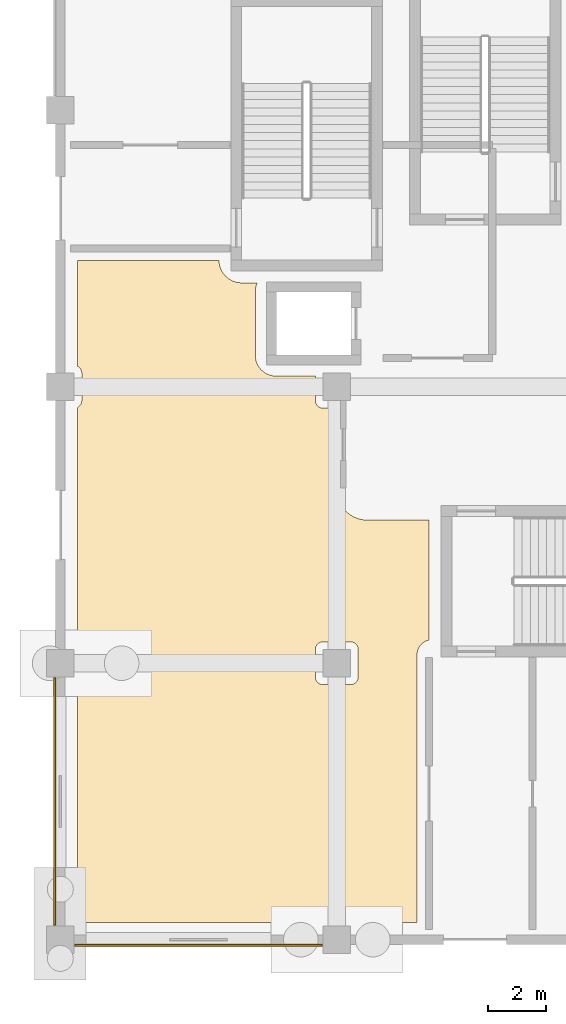
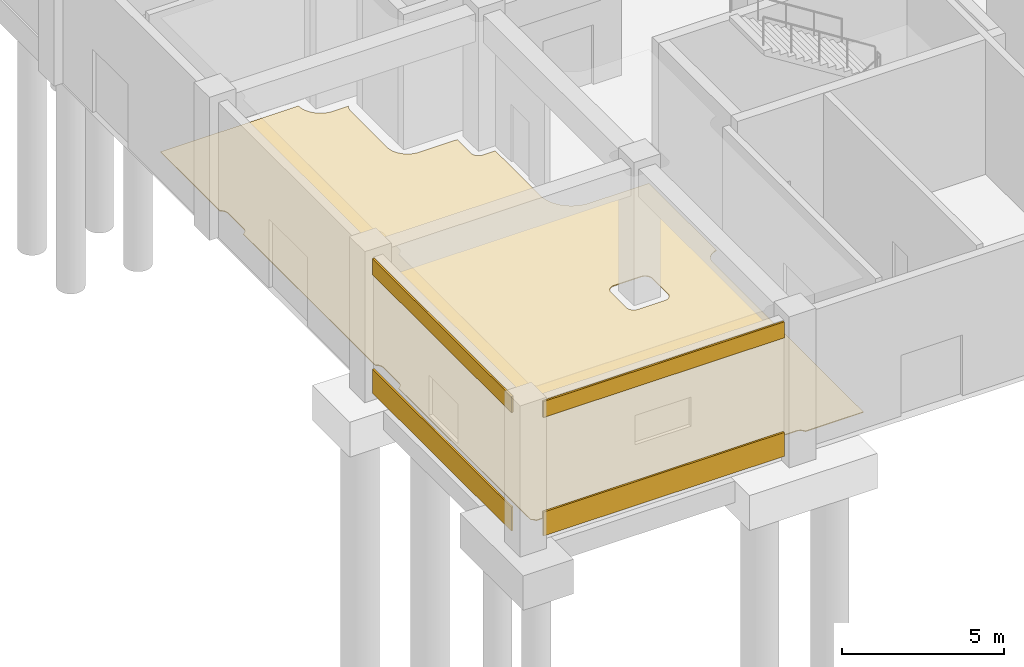
# One storey, part 43 of 74: 5 coverings.
"""IFC4 building model written with IfcOpenShell, lengths in metres."""

from ifc_helpers import new_model, si_unit, direction, frame, origin, origin_2d, place, context, subcontext, project, spatial, polyline, rectangle, outline, extrude, material, layer, layer_set, type_object, element, save


model = new_model("IFC4")

# Units and contexts
model_context = context("Model", 3, precision=1e-05, world=origin(), true_north=direction((0.0, 1.0)))
body_context = subcontext(model_context, "Body", "Model", "MODEL_VIEW")
ifc_project = project(units=[si_unit("LENGTHUNIT", "METRE"), si_unit("AREAUNIT", "SQUARE_METRE"), si_unit("VOLUMEUNIT", "CUBIC_METRE"), si_unit("PLANEANGLEUNIT", "RADIAN"), si_unit("MASSUNIT", "GRAM", prefix="KILO")], contexts=[model_context])

# Site, building, storey
site_placement = place(None, origin())
site = spatial("IfcSite", under=ifc_project, at=site_placement, CompositionType="ELEMENT")
building_placement = place(site_placement, origin())
building = spatial("IfcBuilding", under=site, at=building_placement, Name="Cendralis Terraced Arcade", CompositionType="ELEMENT")
storey_placement = place(building_placement, origin())
storey = spatial("IfcBuildingStorey", under=building, at=storey_placement, Name="L00", CompositionType="ELEMENT", Elevation=0.0)

# Coverings
ifc_material_1 = material(Name="Precast concrete f'c 40 MPa", Category="concrete")
ifc_layer_1 = layer(ifc_material_1, 0.06494140625, Name="COV-CLAD-GRC-65")
ifc_layer_set_1 = layer_set([ifc_layer_1], Name="Precast concrete f'c 40 MPa")
covering_type_1 = type_object("IfcCoveringType", Name="COV-CLAD-GRC-65", PredefinedType="CLADDING", material=ifc_layer_set_1)
covering_1_placement = place(storey_placement, frame((4.800048828125, -0.18994140625, 0.0), z_axis=(0.0, 0.0, 1.0), x_axis=(-1.0, 0.0, 0.0)))
element("IfcCovering", 1, at=covering_1_placement, inside=storey, type_object=covering_type_1, Name="Banded Precast Stone Spandrel Cladding L00-011", PredefinedType="CLADDING", context=body_context, shape_type="SweptSolid", body=[
    extrude(rectangle(XDim=8.593994140625, YDim=0.06494140625, at=origin_2d()), origin(), (0.0, 0.0, 1.0), 0.89990234375),
])
covering_2_placement = place(storey_placement, frame((4.800048828125, -0.18994140625, 4.469970703125), z_axis=(0.0, 0.0, 1.0), x_axis=(-1.0, 0.0, 0.0)))
element("IfcCovering", 2, at=covering_2_placement, inside=storey, type_object=covering_type_1, Name="Banded Precast Stone Lintel Cladding L00-012", PredefinedType="CLADDING", context=body_context, shape_type="SweptSolid", body=[
    extrude(rectangle(XDim=8.593994140625, YDim=0.06494140625, at=origin_2d()), origin(), (0.0, 0.0, 1.0), 0.60009765625),
])
covering_3_placement = place(storey_placement, frame((-0.18994140625, 4.800048828125, 0.0), z_axis=(0.0, 0.0, 1.0), x_axis=(0.0, 1.0, 0.0)))
element("IfcCovering", 3, at=covering_3_placement, inside=storey, type_object=covering_type_1, Name="Banded Precast Stone Spandrel Cladding L00-013", PredefinedType="CLADDING", context=body_context, shape_type="SweptSolid", body=[
    extrude(rectangle(XDim=8.593994140625, YDim=0.06494140625, at=origin_2d()), origin(), (0.0, 0.0, 1.0), 0.89990234375),
])
covering_4_placement = place(storey_placement, frame((-0.18994140625, 4.800048828125, 4.469970703125), z_axis=(0.0, 0.0, 1.0), x_axis=(0.0, 1.0, 0.0)))
element("IfcCovering", 4, at=covering_4_placement, inside=storey, type_object=covering_type_1, Name="Banded Precast Stone Lintel Cladding L00-014", PredefinedType="CLADDING", context=body_context, shape_type="SweptSolid", body=[
    extrude(rectangle(XDim=8.593994140625, YDim=0.06494140625, at=origin_2d()), origin(), (0.0, 0.0, 1.0), 0.60009765625),
])
ifc_material_2 = material(Name="Polished Bogota limestone terrazzo flooring", Category="masonry")
ifc_layer_2 = layer(ifc_material_2, 0.030029296875, Name="COV-FLR-TERZ-30")
ifc_layer_set_2 = layer_set([ifc_layer_2], Name="Polished Bogota limestone terrazzo flooring")
covering_type_2 = type_object("IfcCoveringType", Name="COV-FLR-TERZ-30", PredefinedType="FLOORING", material=ifc_layer_set_2)
covering_5_placement = place(storey_placement, origin())
element("IfcCovering", 5, at=covering_5_placement, inside=storey, type_object=covering_type_2, Name="Interior Finish Flooring L00-028", PredefinedType="FLOORING", context=body_context, shape_type="SweptSolid", body=[
    extrude(outline(polyline([(0.718505859375, 0.59130859375), (0.70703125, 0.613037109375), (0.7060546875, 0.614501953125), (0.6923828125, 0.635009765625), (0.69140625, 0.63671875), (0.67578125, 0.655517578125), (0.67431640625, 0.656982421875), (0.656982421875, 0.67431640625), (0.655517578125, 0.67578125), (0.63671875, 0.69140625), (0.635009765625, 0.6923828125), (0.614501953125, 0.7060546875), (0.613037109375, 0.70703125), (0.59130859375, 0.718505859375), (0.590087890625, 0.71923828125), (0.590087890625, 8.880615234375), (0.59130859375, 8.88134765625), (0.613037109375, 8.892822265625), (0.614501953125, 8.893798828125), (0.635009765625, 8.90771484375), (0.63671875, 8.90869140625), (0.655517578125, 8.92431640625), (0.656982421875, 8.925537109375), (0.67431640625, 8.943115234375), (0.67578125, 8.9443359375), (0.69140625, 8.96337890625), (0.6923828125, 8.965087890625), (0.7060546875, 8.9853515625), (0.70703125, 8.987060546875), (0.718505859375, 9.0087890625), (0.719482421875, 9.010498046875), (0.72900390625, 9.033203125), (0.7294921875, 9.034912109375), (0.736572265625, 9.058349609375), (0.737060546875, 9.060302734375), (0.741943359375, 9.08447265625), (0.7421875, 9.08642578125), (0.74462890625, 9.11083984375), (0.74462890625, 9.11279296875), (0.7451171875, 9.125), (0.7451171875, 10.074951171875), (0.74462890625, 10.08740234375), (0.74462890625, 10.089111328125), (0.7421875, 10.113525390625), (0.741943359375, 10.115478515625), (0.737060546875, 10.1396484375), (0.736572265625, 10.1416015625), (0.7294921875, 10.1650390625), (0.72900390625, 10.1669921875), (0.719482421875, 10.189453125), (0.718505859375, 10.19140625), (0.70703125, 10.212890625), (0.7060546875, 10.214599609375), (0.6923828125, 10.235107421875), (0.69140625, 10.236572265625), (0.67578125, 10.255615234375), (0.67431640625, 10.257080078125), (0.656982421875, 10.2744140625), (0.655517578125, 10.275634765625), (0.63671875, 10.291259765625), (0.635009765625, 10.29248046875), (0.614501953125, 10.30615234375), (0.613037109375, 10.30712890625), (0.59130859375, 10.318603515625), (0.590087890625, 10.3193359375), (0.590087890625, 18.480712890625), (0.59130859375, 18.4814453125), (0.613037109375, 18.492919921875), (0.614501953125, 18.493896484375), (0.635009765625, 18.507568359375), (0.63671875, 18.5087890625), (0.655517578125, 18.5244140625), (0.656982421875, 18.525634765625), (0.67431640625, 18.54296875), (0.67578125, 18.54443359375), (0.69140625, 18.5634765625), (0.6923828125, 18.56494140625), (0.7060546875, 18.58544921875), (0.70703125, 18.5869140625), (0.718505859375, 18.608642578125), (0.719482421875, 18.610595703125), (0.72900390625, 18.633056640625), (0.7294921875, 18.635009765625), (0.736572265625, 18.658447265625), (0.737060546875, 18.660400390625), (0.741943359375, 18.684326171875), (0.7421875, 18.686279296875), (0.74462890625, 18.710693359375), (0.74462890625, 18.712646484375), (0.7451171875, 18.72509765625), (0.7451171875, 19.675048828125), (0.74462890625, 19.687255859375), (0.74462890625, 19.689208984375), (0.7421875, 19.713623046875), (0.741943359375, 19.715576171875), (0.737060546875, 19.739501953125), (0.736572265625, 19.74169921875), (0.7294921875, 19.764892578125), (0.72900390625, 19.766845703125), (0.719482421875, 19.78955078125), (0.718505859375, 19.791259765625), (0.70703125, 19.81298828125), (0.7060546875, 19.814697265625), (0.6923828125, 19.8349609375), (0.69140625, 19.836669921875), (0.67578125, 19.855712890625), (0.67431640625, 19.85693359375), (0.656982421875, 19.87451171875), (0.655517578125, 19.875732421875), (0.63671875, 19.891357421875), (0.635009765625, 19.892333984375), (0.614501953125, 19.906005859375), (0.613037109375, 19.906982421875), (0.59130859375, 19.918701171875), (0.590087890625, 19.919189453125), (0.590087890625, 23.590087890625), (5.51025390625, 23.590087890625), (5.51025390625, 23.587890625), (5.510498046875, 23.581787109375), (5.512451171875, 23.540771484375), (5.513427734375, 23.5283203125), (5.514404296875, 23.5166015625), (5.51611328125, 23.50439453125), (5.522216796875, 23.4638671875), (5.524169921875, 23.45166015625), (5.526611328125, 23.440185546875), (5.529296875, 23.42822265625), (5.539306640625, 23.38818359375), (5.54248046875, 23.37646484375), (5.5458984375, 23.364990234375), (5.5498046875, 23.353515625), (5.563720703125, 23.314697265625), (5.568115234375, 23.30322265625), (5.572509765625, 23.292236328125), (5.577392578125, 23.281005859375), (5.59521484375, 23.243896484375), (5.6005859375, 23.23291015625), (5.606201171875, 23.222412109375), (5.6123046875, 23.2119140625), (5.63330078125, 23.176513671875), (5.639892578125, 23.166015625), (5.646484375, 23.15625), (5.653564453125, 23.146240234375), (5.677978515625, 23.113037109375), (5.685791015625, 23.103515625), (5.693115234375, 23.094482421875), (5.701171875, 23.085205078125), (5.72900390625, 23.054443359375), (5.7373046875, 23.045654296875), (5.74560546875, 23.037353515625), (5.75439453125, 23.02880859375), (5.78515625, 23.001220703125), (5.79443359375, 22.9931640625), (5.803466796875, 22.985595703125), (5.81298828125, 22.97802734375), (5.84619140625, 22.95361328125), (5.856201171875, 22.946533203125), (5.8662109375, 22.93994140625), (5.87646484375, 22.933349609375), (5.911865234375, 22.912109375), (5.922607421875, 22.90625), (5.932861328125, 22.900634765625), (5.94384765625, 22.89501953125), (5.981201171875, 22.87744140625), (5.9921875, 22.87255859375), (6.003173828125, 22.867919921875), (6.0146484375, 22.863525390625), (6.053466796875, 22.849609375), (6.065185546875, 22.845947265625), (6.076416015625, 22.84228515625), (6.088134765625, 22.839111328125), (6.128173828125, 22.8291015625), (6.14013671875, 22.826416015625), (6.151611328125, 22.82421875), (6.163818359375, 22.822021484375), (6.20458984375, 22.81591796875), (6.216796875, 22.814453125), (6.228515625, 22.8134765625), (6.24072265625, 22.8125), (6.28173828125, 22.810302734375), (6.2880859375, 22.810302734375), (6.2939453125, 22.81005859375), (6.300048828125, 22.81005859375), (6.839599609375, 22.81005859375), (6.8330078125, 22.7958984375), (6.827880859375, 22.78466796875), (6.823486328125, 22.77392578125), (6.819091796875, 22.762451171875), (6.80712890625, 22.729248046875), (6.80322265625, 22.717529296875), (6.7998046875, 22.706298828125), (6.796630859375, 22.6943359375), (6.7880859375, 22.66015625), (6.785400390625, 22.648193359375), (6.782958984375, 22.63671875), (6.781005859375, 22.62451171875), (6.775634765625, 22.589599609375), (6.774169921875, 22.577392578125), (6.773193359375, 22.565673828125), (6.772216796875, 22.553466796875), (6.7705078125, 22.518310546875), (6.770263671875, 22.511962890625), (6.77001953125, 22.506103515625), (6.77001953125, 22.5), (6.77001953125, 20.300048828125), (6.77001953125, 20.2939453125), (6.770263671875, 20.2880859375), (6.7705078125, 20.28173828125), (6.772216796875, 20.24658203125), (6.773193359375, 20.234375), (6.774169921875, 20.22265625), (6.775634765625, 20.21044921875), (6.781005859375, 20.175537109375), (6.782958984375, 20.163330078125), (6.785400390625, 20.15185546875), (6.7880859375, 20.139892578125), (6.796630859375, 20.105712890625), (6.7998046875, 20.09375), (6.80322265625, 20.08251953125), (6.80712890625, 20.07080078125), (6.819091796875, 20.03759765625), (6.823486328125, 20.026123046875), (6.827880859375, 20.015380859375), (6.8330078125, 20.00390625), (6.847900390625, 19.97216796875), (6.853515625, 19.961181640625), (6.859130859375, 19.95068359375), (6.864990234375, 19.940185546875), (6.88330078125, 19.909912109375), (6.889892578125, 19.8994140625), (6.896484375, 19.8896484375), (6.903564453125, 19.879638671875), (6.924560546875, 19.851318359375), (6.93212890625, 19.841552734375), (6.939453125, 19.83251953125), (6.947509765625, 19.822998046875), (6.97119140625, 19.797119140625), (6.979736328125, 19.7880859375), (6.988037109375, 19.77978515625), (6.9970703125, 19.771240234375), (7.023193359375, 19.74755859375), (7.032470703125, 19.739501953125), (7.04150390625, 19.732177734375), (7.05126953125, 19.724609375), (7.07958984375, 19.70361328125), (7.089599609375, 19.6962890625), (7.099365234375, 19.68994140625), (7.10986328125, 19.683349609375), (7.14013671875, 19.6650390625), (7.15087890625, 19.6591796875), (7.1611328125, 19.653564453125), (7.172119140625, 19.64794921875), (7.2041015625, 19.6328125), (7.21533203125, 19.6279296875), (7.22607421875, 19.623291015625), (7.237548828125, 19.618896484375), (7.270751953125, 19.607177734375), (7.282470703125, 19.603271484375), (7.293701171875, 19.599853515625), (7.3056640625, 19.5966796875), (7.33984375, 19.587890625), (7.351806640625, 19.585205078125), (7.36328125, 19.5830078125), (7.37548828125, 19.580810546875), (7.410400390625, 19.57568359375), (7.422607421875, 19.57421875), (7.434326171875, 19.572998046875), (7.446533203125, 19.572265625), (7.481689453125, 19.5703125), (7.488037109375, 19.5703125), (7.493896484375, 19.570068359375), (7.5, 19.570068359375), (8.85498046875, 19.570068359375), (8.85498046875, 18.72509765625), (8.855224609375, 18.712646484375), (8.85546875, 18.710693359375), (8.85791015625, 18.686279296875), (8.858154296875, 18.684326171875), (8.86279296875, 18.660400390625), (8.86328125, 18.658447265625), (8.87060546875, 18.635009765625), (8.87109375, 18.633056640625), (8.880615234375, 18.610595703125), (8.88134765625, 18.608642578125), (8.892822265625, 18.5869140625), (8.893798828125, 18.58544921875), (8.90771484375, 18.56494140625), (8.90869140625, 18.5634765625), (8.92431640625, 18.54443359375), (8.925537109375, 18.54296875), (8.943115234375, 18.525634765625), (8.9443359375, 18.5244140625), (8.96337890625, 18.5087890625), (8.965087890625, 18.507568359375), (8.9853515625, 18.493896484375), (8.987060546875, 18.492919921875), (9.0087890625, 18.4814453125), (9.010498046875, 18.48046875), (9.033203125, 18.47119140625), (9.034912109375, 18.470458984375), (9.058349609375, 18.46337890625), (9.060302734375, 18.462890625), (9.08447265625, 18.4580078125), (9.08642578125, 18.457763671875), (9.11083984375, 18.455322265625), (9.11279296875, 18.455322265625), (9.125, 18.455078125), (9.570068359375, 18.455078125), (9.570068359375, 15.679931640625), (9.570068359375, 15.677001953125), (9.570068359375, 15.674072265625), (9.570068359375, 15.6708984375), (9.5703125, 15.6650390625), (9.5703125, 15.662109375), (9.570556640625, 15.658935546875), (9.570556640625, 15.656005859375), (9.573486328125, 15.59521484375), (9.573974609375, 15.589111328125), (9.574462890625, 15.583251953125), (9.574951171875, 15.5771484375), (9.576171875, 15.5654296875), (9.57666015625, 15.559326171875), (9.577392578125, 15.553466796875), (9.578369140625, 15.54736328125), (9.587158203125, 15.487060546875), (9.588134765625, 15.481201171875), (9.589111328125, 15.475341796875), (9.59033203125, 15.46923828125), (9.592529296875, 15.457763671875), (9.593994140625, 15.45166015625), (9.59521484375, 15.446044921875), (9.5966796875, 15.43994140625), (9.611328125, 15.381103515625), (9.61279296875, 15.375), (9.614501953125, 15.369384765625), (9.6162109375, 15.363525390625), (9.61962890625, 15.352294921875), (9.62158203125, 15.34619140625), (9.623291015625, 15.3408203125), (9.625244140625, 15.3349609375), (9.645751953125, 15.277587890625), (9.64794921875, 15.27197265625), (9.650146484375, 15.266357421875), (9.65234375, 15.2607421875), (9.656982421875, 15.249755859375), (9.6591796875, 15.244140625), (9.66162109375, 15.23876953125), (9.664306640625, 15.233154296875), (9.690185546875, 15.17822265625), (9.69287109375, 15.172607421875), (9.695556640625, 15.16748046875), (9.698486328125, 15.162109375), (9.7041015625, 15.151611328125), (9.706787109375, 15.146240234375), (9.709716796875, 15.14111328125), (9.712890625, 15.1357421875), (9.744140625, 15.08349609375), (9.747314453125, 15.078369140625), (9.75048828125, 15.073486328125), (9.75390625, 15.068359375), (9.760498046875, 15.05859375), (9.763916015625, 15.053466796875), (9.767333984375, 15.048583984375), (9.77099609375, 15.043701171875), (9.80712890625, 14.994873046875), (9.810791015625, 14.989990234375), (9.814453125, 14.9853515625), (9.818359375, 14.98046875), (9.82568359375, 14.971435546875), (9.829833984375, 14.966796875), (9.83349609375, 14.962158203125), (9.837646484375, 14.95751953125), (9.87841796875, 14.91259765625), (9.8828125, 14.907958984375), (9.88671875, 14.90380859375), (9.89111328125, 14.8994140625), (9.8994140625, 14.89111328125), (9.90380859375, 14.88671875), (9.907958984375, 14.8828125), (9.91259765625, 14.87841796875), (9.95751953125, 14.837646484375), (9.962158203125, 14.83349609375), (9.966796875, 14.829833984375), (9.971435546875, 14.82568359375), (9.98046875, 14.818359375), (9.9853515625, 14.814453125), (9.989990234375, 14.810791015625), (9.994873046875, 14.80712890625), (10.043701171875, 14.77099609375), (10.048583984375, 14.767333984375), (10.053466796875, 14.763916015625), (10.05859375, 14.760498046875), (10.068359375, 14.75390625), (10.073486328125, 14.75048828125), (10.078369140625, 14.747314453125), (10.08349609375, 14.744140625), (10.1357421875, 14.712890625), (10.14111328125, 14.709716796875), (10.146240234375, 14.706787109375), (10.151611328125, 14.7041015625), (10.162109375, 14.698486328125), (10.16748046875, 14.695556640625), (10.172607421875, 14.69287109375), (10.17822265625, 14.690185546875), (10.233154296875, 14.664306640625), (10.23876953125, 14.66162109375), (10.244140625, 14.6591796875), (10.249755859375, 14.656982421875), (10.2607421875, 14.65234375), (10.266357421875, 14.650146484375), (10.27197265625, 14.64794921875), (10.277587890625, 14.645751953125), (10.3349609375, 14.625244140625), (10.3408203125, 14.623291015625), (10.34619140625, 14.62158203125), (10.352294921875, 14.61962890625), (10.363525390625, 14.6162109375), (10.369384765625, 14.614501953125), (10.375, 14.61279296875), (10.381103515625, 14.611328125), (10.43994140625, 14.5966796875), (10.446044921875, 14.59521484375), (10.45166015625, 14.593994140625), (10.457763671875, 14.592529296875), (10.46923828125, 14.59033203125), (10.475341796875, 14.589111328125), (10.481201171875, 14.588134765625), (10.487060546875, 14.587158203125), (10.54736328125, 14.578369140625), (10.553466796875, 14.577392578125), (10.559326171875, 14.57666015625), (10.5654296875, 14.576171875), (10.5771484375, 14.574951171875), (10.583251953125, 14.574462890625), (10.589111328125, 14.573974609375), (10.59521484375, 14.573486328125), (10.656005859375, 14.570556640625), (10.658935546875, 14.570556640625), (10.662109375, 14.5703125), (10.6650390625, 14.5703125), (10.6708984375, 14.570068359375), (10.674072265625, 14.570068359375), (10.677001953125, 14.570068359375), (10.679931640625, 14.570068359375), (12.81005859375, 14.570068359375), (12.81005859375, 10.40185546875), (12.806396484375, 10.401123046875), (12.794921875, 10.39892578125), (12.78271484375, 10.396240234375), (12.76953125, 10.392822265625), (12.757568359375, 10.3896484375), (12.746337890625, 10.38623046875), (12.734619140625, 10.38232421875), (12.7216796875, 10.377685546875), (12.710205078125, 10.373291015625), (12.699462890625, 10.368896484375), (12.688232421875, 10.36376953125), (12.67578125, 10.35791015625), (12.664794921875, 10.352294921875), (12.654541015625, 10.346923828125), (12.643798828125, 10.3408203125), (12.632080078125, 10.333740234375), (12.62158203125, 10.3271484375), (12.61181640625, 10.32080078125), (12.601806640625, 10.313720703125), (12.5908203125, 10.305419921875), (12.5810546875, 10.2978515625), (12.572021484375, 10.290283203125), (12.562744140625, 10.282470703125), (12.552490234375, 10.273193359375), (12.543701171875, 10.2646484375), (12.535400390625, 10.25634765625), (12.52685546875, 10.24755859375), (12.517578125, 10.2373046875), (12.509521484375, 10.22802734375), (12.502197265625, 10.218994140625), (12.49462890625, 10.209228515625), (12.486328125, 10.1982421875), (12.479248046875, 10.188232421875), (12.472900390625, 10.178466796875), (12.46630859375, 10.16796875), (12.459228515625, 10.15625), (12.453125, 10.1455078125), (12.447509765625, 10.13525390625), (12.442138671875, 10.124267578125), (12.436279296875, 10.11181640625), (12.43115234375, 10.1005859375), (12.4267578125, 10.089599609375), (12.42236328125, 10.078125), (12.417724609375, 10.065185546875), (12.413818359375, 10.0537109375), (12.410400390625, 10.04248046875), (12.406982421875, 10.030517578125), (12.40380859375, 10.01708984375), (12.401123046875, 10.005126953125), (12.398681640625, 9.99365234375), (12.396728515625, 9.981689453125), (12.394775390625, 9.968017578125), (12.393310546875, 9.955810546875), (12.39208984375, 9.944091796875), (12.39111328125, 9.931884765625), (12.390380859375, 9.918212890625), (12.39013671875, 9.912109375), (12.39013671875, 9.906005859375), (12.389892578125, 9.89990234375), (12.389892578125, 0.590087890625), (10.3193359375, 0.590087890625), (10.318603515625, 0.59130859375), (10.30712890625, 0.613037109375), (10.30615234375, 0.614501953125), (10.29248046875, 0.635009765625), (10.291259765625, 0.63671875), (10.275634765625, 0.655517578125), (10.2744140625, 0.656982421875), (10.257080078125, 0.67431640625), (10.255615234375, 0.67578125), (10.236572265625, 0.69140625), (10.235107421875, 0.6923828125), (10.214599609375, 0.7060546875), (10.212890625, 0.70703125), (10.19140625, 0.718505859375), (10.189453125, 0.719482421875), (10.1669921875, 0.72900390625), (10.1650390625, 0.7294921875), (10.1416015625, 0.736572265625), (10.1396484375, 0.737060546875), (10.115478515625, 0.741943359375), (10.113525390625, 0.7421875), (10.089111328125, 0.74462890625), (10.08740234375, 0.74462890625), (10.074951171875, 0.7451171875), (9.125, 0.7451171875), (9.11279296875, 0.74462890625), (9.11083984375, 0.74462890625), (9.08642578125, 0.7421875), (9.08447265625, 0.741943359375), (9.060302734375, 0.737060546875), (9.058349609375, 0.736572265625), (9.034912109375, 0.7294921875), (9.033203125, 0.72900390625), (9.010498046875, 0.719482421875), (9.0087890625, 0.718505859375), (8.987060546875, 0.70703125), (8.9853515625, 0.7060546875), (8.965087890625, 0.6923828125), (8.96337890625, 0.69140625), (8.9443359375, 0.67578125), (8.943115234375, 0.67431640625), (8.925537109375, 0.656982421875), (8.92431640625, 0.655517578125), (8.90869140625, 0.63671875), (8.90771484375, 0.635009765625), (8.893798828125, 0.614501953125), (8.892822265625, 0.613037109375), (8.88134765625, 0.59130859375), (8.880615234375, 0.590087890625), (0.71923828125, 0.590087890625), (0.718505859375, 0.59130859375)]), holes=[polyline([(8.9853515625, 8.893798828125), (8.987060546875, 8.892822265625), (9.0087890625, 8.88134765625), (9.010498046875, 8.880615234375), (9.033203125, 8.87109375), (9.034912109375, 8.87060546875), (9.058349609375, 8.86328125), (9.060302734375, 8.86279296875), (9.08447265625, 8.858154296875), (9.08642578125, 8.85791015625), (9.11083984375, 8.85546875), (9.11279296875, 8.855224609375), (9.125, 8.85498046875), (10.074951171875, 8.85498046875), (10.08740234375, 8.855224609375), (10.089111328125, 8.85546875), (10.113525390625, 8.85791015625), (10.115478515625, 8.858154296875), (10.1396484375, 8.86279296875), (10.1416015625, 8.86328125), (10.1650390625, 8.87060546875), (10.1669921875, 8.87109375), (10.189453125, 8.880615234375), (10.19140625, 8.88134765625), (10.212890625, 8.892822265625), (10.214599609375, 8.893798828125), (10.235107421875, 8.90771484375), (10.236572265625, 8.90869140625), (10.255615234375, 8.92431640625), (10.257080078125, 8.925537109375), (10.2744140625, 8.943115234375), (10.275634765625, 8.9443359375), (10.291259765625, 8.96337890625), (10.29248046875, 8.965087890625), (10.30615234375, 8.9853515625), (10.30712890625, 8.987060546875), (10.318603515625, 9.0087890625), (10.319580078125, 9.010498046875), (10.328857421875, 9.033203125), (10.32958984375, 9.034912109375), (10.336669921875, 9.058349609375), (10.337158203125, 9.060302734375), (10.341796875, 9.08447265625), (10.34228515625, 9.08642578125), (10.344482421875, 9.11083984375), (10.3447265625, 9.11279296875), (10.344970703125, 9.125), (10.344970703125, 10.074951171875), (10.3447265625, 10.08740234375), (10.344482421875, 10.089111328125), (10.34228515625, 10.113525390625), (10.341796875, 10.115478515625), (10.337158203125, 10.1396484375), (10.336669921875, 10.1416015625), (10.32958984375, 10.1650390625), (10.328857421875, 10.1669921875), (10.319580078125, 10.189453125), (10.318603515625, 10.19140625), (10.30712890625, 10.212890625), (10.30615234375, 10.214599609375), (10.29248046875, 10.235107421875), (10.291259765625, 10.236572265625), (10.275634765625, 10.255615234375), (10.2744140625, 10.257080078125), (10.257080078125, 10.2744140625), (10.255615234375, 10.275634765625), (10.236572265625, 10.291259765625), (10.235107421875, 10.29248046875), (10.214599609375, 10.30615234375), (10.212890625, 10.30712890625), (10.19140625, 10.318603515625), (10.189453125, 10.319580078125), (10.1669921875, 10.328857421875), (10.1650390625, 10.32958984375), (10.1416015625, 10.336669921875), (10.1396484375, 10.337158203125), (10.115478515625, 10.341796875), (10.113525390625, 10.34228515625), (10.089111328125, 10.344482421875), (10.08740234375, 10.3447265625), (10.074951171875, 10.344970703125), (9.125, 10.344970703125), (9.11279296875, 10.3447265625), (9.11083984375, 10.344482421875), (9.08642578125, 10.34228515625), (9.08447265625, 10.341796875), (9.060302734375, 10.337158203125), (9.058349609375, 10.336669921875), (9.034912109375, 10.32958984375), (9.033203125, 10.328857421875), (9.010498046875, 10.319580078125), (9.0087890625, 10.318603515625), (8.987060546875, 10.30712890625), (8.9853515625, 10.30615234375), (8.965087890625, 10.29248046875), (8.96337890625, 10.291259765625), (8.9443359375, 10.275634765625), (8.943115234375, 10.2744140625), (8.925537109375, 10.257080078125), (8.92431640625, 10.255615234375), (8.90869140625, 10.236572265625), (8.90771484375, 10.235107421875), (8.893798828125, 10.214599609375), (8.892822265625, 10.212890625), (8.88134765625, 10.19140625), (8.880615234375, 10.189453125), (8.87109375, 10.1669921875), (8.87060546875, 10.1650390625), (8.86328125, 10.1416015625), (8.86279296875, 10.1396484375), (8.858154296875, 10.115478515625), (8.85791015625, 10.113525390625), (8.85546875, 10.089111328125), (8.855224609375, 10.08740234375), (8.85498046875, 10.074951171875), (8.85498046875, 9.125), (8.855224609375, 9.11279296875), (8.85546875, 9.11083984375), (8.85791015625, 9.08642578125), (8.858154296875, 9.08447265625), (8.86279296875, 9.060302734375), (8.86328125, 9.058349609375), (8.87060546875, 9.034912109375), (8.87109375, 9.033203125), (8.880615234375, 9.010498046875), (8.88134765625, 9.0087890625), (8.892822265625, 8.987060546875), (8.893798828125, 8.9853515625), (8.90771484375, 8.965087890625), (8.90869140625, 8.96337890625), (8.92431640625, 8.9443359375), (8.925537109375, 8.943115234375), (8.943115234375, 8.925537109375), (8.9443359375, 8.92431640625), (8.96337890625, 8.90869140625), (8.965087890625, 8.90771484375), (8.9853515625, 8.893798828125)])]), origin(), (0.0, 0.0, 1.0), 0.030029296875),
])

save(model, "model.ifc")
